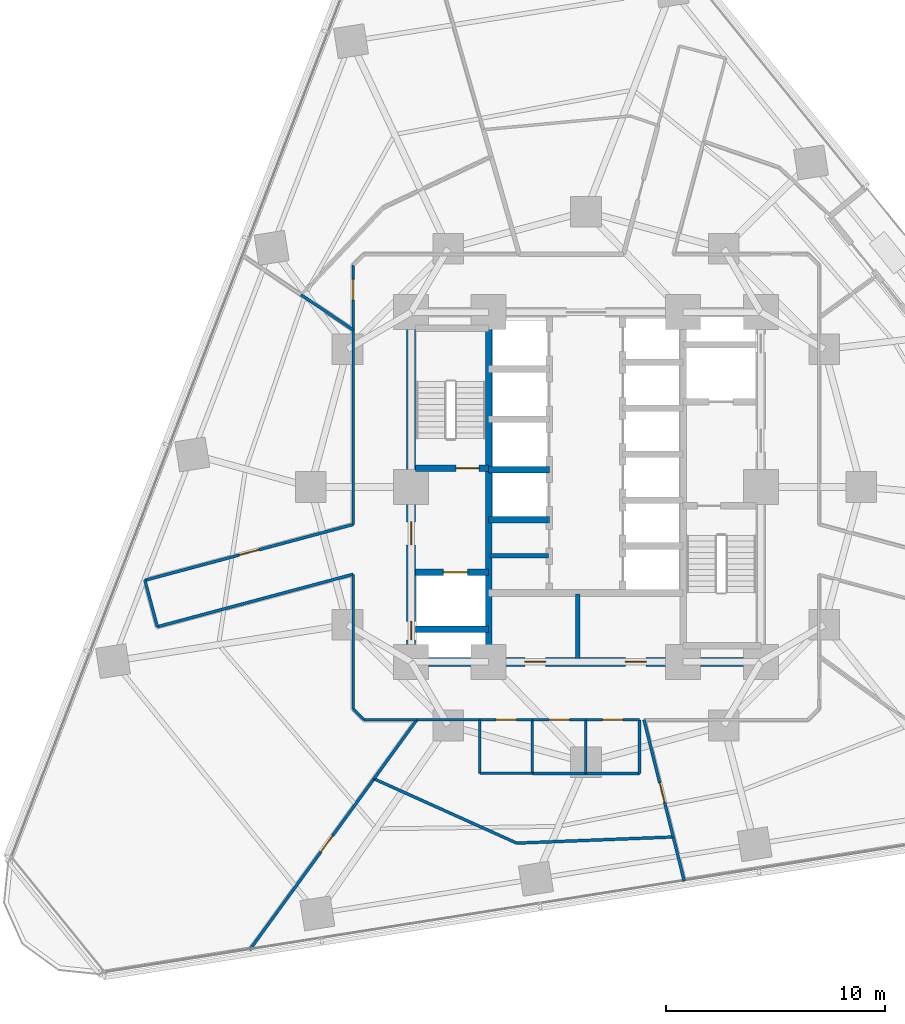
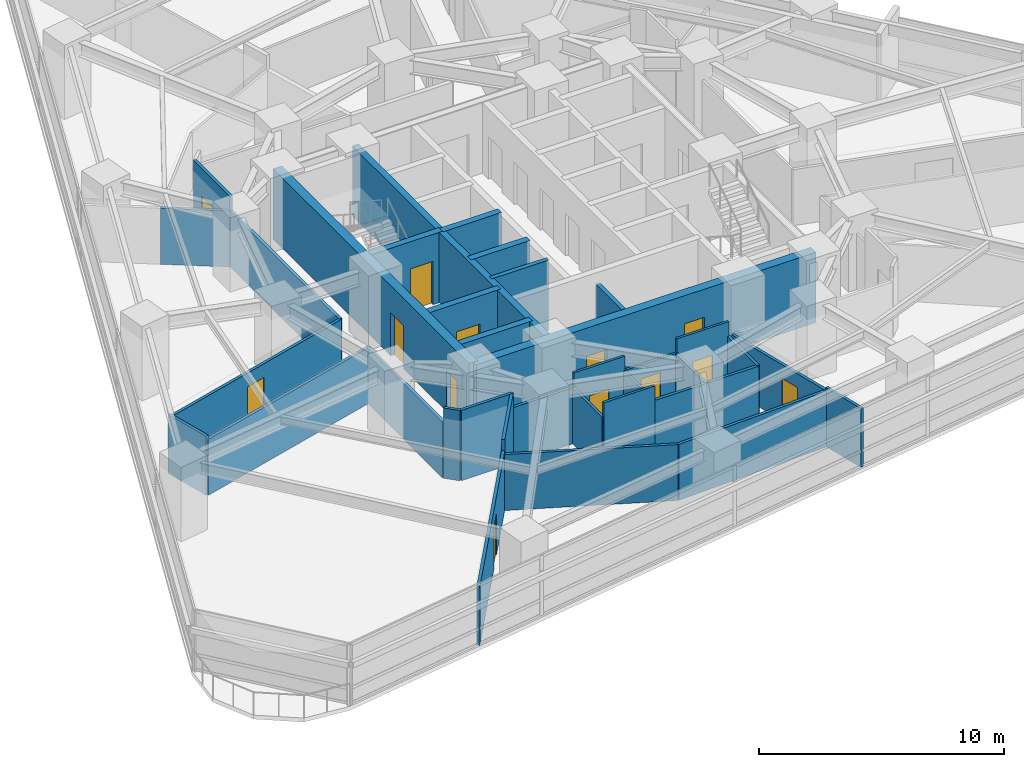
# One storey, part 7 of 14: 36 walls, 13 doors, 13 openings.
"""IFC4 building model written with IfcOpenShell, lengths in metres."""

from ifc_helpers import new_model, si_unit, direction, frame, frame_2d, origin, place, context, subcontext, project, spatial, rectangle, extrude, material, layer, layer_set, type_object, element, fill, save


model = new_model("IFC4")

# Units and contexts
model_context = context("Model", 3, precision=1e-05, world=origin(), true_north=direction((0.0, 1.0)))
body_context = subcontext(model_context, "Body", "Model", "MODEL_VIEW")
ifc_project = project(units=[si_unit("LENGTHUNIT", "METRE"), si_unit("AREAUNIT", "SQUARE_METRE"), si_unit("VOLUMEUNIT", "CUBIC_METRE"), si_unit("PLANEANGLEUNIT", "RADIAN"), si_unit("MASSUNIT", "GRAM", prefix="KILO")], contexts=[model_context])

# Site, building, storey
site_placement = place(None, origin())
site = spatial("IfcSite", under=ifc_project, at=site_placement, CompositionType="ELEMENT")
building_placement = place(site_placement, origin())
building = spatial("IfcBuilding", under=site, at=building_placement, Name="Terralouvre Media Tower", CompositionType="ELEMENT")
storey_placement = place(building_placement, frame((0.0, 0.0, 63.0)))
storey = spatial("IfcBuildingStorey", under=building, at=storey_placement, Name="L15", CompositionType="ELEMENT", Elevation=63.0)

# Wall
ifc_material_1 = material(Name="Concrete C50/60", Category="concrete")
ifc_layer_1 = layer(ifc_material_1, 0.300048828125, Name="Core Internal Shaft Wall CW-300")
ifc_layer_set_1 = layer_set([ifc_layer_1], Name="Concrete C50/60")
wall_type_1 = type_object("IfcWallType", Name="Core Internal Shaft Wall CW-300", PredefinedType="SHEAR", material=ifc_layer_set_1)
wall_1_placement = place(storey_placement, frame((-4.449951171875, -7.7900390625, 0.0), z_axis=(0.0, 0.0, 1.0), x_axis=(0.0, 1.0, 0.0)))
element("IfcWall", 1, at=wall_1_placement, inside=storey, type_object=wall_type_1, Name="L15 Core Shaft Wall SPW", PredefinedType="SHEAR", context=body_context, shape_type="SweptSolid", body=[
    extrude(rectangle(XDim=15.580078125, YDim=0.300048828125, at=frame_2d((7.7900390625, 0.0))), origin(), (0.0, 0.0, 1.0), 3.5),
])

# Wall, opening, door
wall_2_placement = place(storey_placement, frame((-7.7900390625, 0.85009765625, 0.0), z_axis=(0.0, 0.0, 1.0), x_axis=(1.0, 0.0, 0.0)))
wall_2 = element("IfcWall", 2, at=wall_2_placement, inside=storey, type_object=wall_type_1, Name="L15 Core Shaft Wall ST1D", PredefinedType="SHEAR", context=body_context, shape_type="SweptSolid", body=[
    extrude(rectangle(XDim=3.340087890625, YDim=0.300048828125, at=frame_2d((1.669921875, 0.0))), origin(), (0.0, 0.0, 1.0), 3.5),
])
opening_1_placement = place(wall_2_placement, frame((1.85009765625, 0.0, 0.0)))
opening_1 = element("IfcOpeningElement", 3, at=opening_1_placement, cuts=wall_2, Name="Opening FD-01-105X215", PredefinedType="OPENING", context=body_context, shape_type="SweptSolid", body=[
    extrude(rectangle(XDim=1.050048828125, YDim=2.14990234375, at=frame_2d((0.52490234375, 1.074951171875))), frame((0.0, 0.159912109375, 0.0), z_axis=(0.0, -1.0, 0.0), x_axis=(1.0, 0.0, 0.0)), (0.0, 0.0, 1.0), 0.320068359375),
])
ifc_material_2 = material(Name="Galvanised steel fire-resisting leaf", Category="steel")
door_type_1 = type_object("IfcDoorType", Name="Stair and Firefighting Lobby Fire Door FD-01 (1050x2150)", OperationType="NOTDEFINED", PredefinedType="DOOR", material=ifc_material_2)
door_1_placement = place(opening_1_placement, origin())
door_1 = element("IfcDoor", 4, at=door_1_placement, inside=storey, type_object=door_type_1, Name="L15 ST-01 Exit Stair Door", OperationType="SINGLE_SWING_LEFT", OverallHeight=2.14990234375, OverallWidth=1.050048828125, PredefinedType="DOOR", context=body_context, shape_type="SweptSolid", body=[
    extrude(rectangle(XDim=1.050048828125, YDim=2.14990234375, at=frame_2d((0.52490234375, 1.074951171875))), frame((0.0, 0.02490234375, 0.0), z_axis=(0.0, -1.0, 0.0), x_axis=(1.0, 0.0, 0.0)), (0.0, 0.0, 1.0), 0.050048828125),
])
fill(opening_1, door_1)

wall_3_placement = place(storey_placement, frame((-7.7900390625, -3.89990234375, 0.0), z_axis=(0.0, 0.0, 1.0), x_axis=(1.0, 0.0, 0.0)))
wall_3 = element("IfcWall", 5, at=wall_3_placement, inside=storey, type_object=wall_type_1, Name="L15 Core Shaft Wall FF1N", PredefinedType="SHEAR", context=body_context, shape_type="SweptSolid", body=[
    extrude(rectangle(XDim=3.340087890625, YDim=0.300048828125, at=frame_2d((1.669921875, 0.0))), origin(), (0.0, 0.0, 1.0), 3.5),
])
opening_2_placement = place(wall_3_placement, frame((1.27001953125, 0.0, 0.0)))
opening_2 = element("IfcOpeningElement", 6, at=opening_2_placement, cuts=wall_3, Name="Opening LD-FF", PredefinedType="OPENING", context=body_context, shape_type="SweptSolid", body=[
    extrude(rectangle(XDim=1.10009765625, YDim=2.10009765625, at=frame_2d((0.550048828125, 1.050048828125))), frame((0.0, 0.159912109375, 0.0), z_axis=(0.0, -1.0, 0.0), x_axis=(1.0, 0.0, 0.0)), (0.0, 0.0, 1.0), 0.320068359375),
])
ifc_material_3 = material(Name="Stainless steel 316 handrail and balustrade", Category="steel")
door_type_2 = type_object("IfcDoorType", Name="Firefighting Lift Sliding Landing Door LD-FF", OperationType="SLIDING_TO_LEFT", PredefinedType="DOOR", material=ifc_material_3)
door_2_placement = place(opening_2_placement, origin())
door_2 = element("IfcDoor", 7, at=door_2_placement, inside=storey, type_object=door_type_2, Name="L15 Firefighting Lift FFL-01 Landing Door", OperationType="SLIDING_TO_LEFT", OverallHeight=2.10009765625, OverallWidth=1.10009765625, PredefinedType="DOOR", context=body_context, shape_type="SweptSolid", body=[
    extrude(rectangle(XDim=1.10009765625, YDim=2.10009765625, at=frame_2d((0.550048828125, 1.050048828125))), frame((0.0, 0.02490234375, 0.0), z_axis=(0.0, -1.0, 0.0), x_axis=(1.0, 0.0, 0.0)), (0.0, 0.0, 1.0), 0.050048828125),
])
fill(opening_2, door_2)

# Walls
wall_4_placement = place(storey_placement, frame((-7.7900390625, -6.5, 0.0), z_axis=(0.0, 0.0, 1.0), x_axis=(1.0, 0.0, 0.0)))
element("IfcWall", 8, at=wall_4_placement, inside=storey, type_object=wall_type_1, Name="L15 Core Shaft Wall FF1S", PredefinedType="SHEAR", context=body_context, shape_type="SweptSolid", body=[
    extrude(rectangle(XDim=3.340087890625, YDim=0.300048828125, at=frame_2d((1.669921875, 0.0))), origin(), (0.0, 0.0, 1.0), 3.5),
])
for number, where, z_axis, x_axis, name in (
    (9, (-4.449951171875, -1.5, 0.0), (0.0, 0.0, 1.0), (1.0, 0.0, 0.0), "L15 Core Shaft Wall PLLD0"),
    (10, (-4.449951171875, 0.800048828125, 0.0), (0.0, 0.0, 1.0), (1.0, 0.0, 0.0), "L15 Core Shaft Wall PLLD1"),
):
    element("IfcWall", number, at=place(storey_placement, frame(where, z_axis=z_axis, x_axis=x_axis)), inside=storey, type_object=wall_type_1, Name=name, PredefinedType="SHEAR", context=body_context, shape_type="SweptSolid", body=[
        extrude(rectangle(XDim=2.77001953125, YDim=0.300048828125, at=frame_2d((1.385009765625, 0.0))), origin(), (0.0, 0.0, 1.0), 3.5),
    ])

# Wall, openings, doors
ifc_material_4 = material(Name="Concrete C60/75", Category="concrete")
ifc_layer_2 = layer(ifc_material_4, 0.419921875, Name="Core Reinforced Concrete Shear Wall CW-420")
ifc_layer_set_2 = layer_set([ifc_layer_2], Name="Concrete C60/75")
wall_type_2 = type_object("IfcWallType", Name="Core Reinforced Concrete Shear Wall CW-420", PredefinedType="SHEAR", material=ifc_layer_set_2)
wall_5_placement = place(storey_placement, frame((-8.0, -8.0, 0.0), z_axis=(0.0, 0.0, 1.0), x_axis=(0.0, 1.0, 0.0)))
wall_5 = element("IfcWall", 11, at=wall_5_placement, inside=storey, type_object=wall_type_2, Name="L15 W Core Shear Wall", PredefinedType="SHEAR", context=body_context, shape_type="SweptSolid", body=[
    extrude(rectangle(XDim=16.0, YDim=0.419921875, at=frame_2d((8.0, 0.0))), origin(), (0.0, 0.0, 1.0), 3.5),
])
opening_3_placement = place(wall_5_placement, frame((1.001708984375, 0.0, 0.0)))
opening_3 = element("IfcOpeningElement", 12, at=opening_3_placement, cuts=wall_5, Name="Opening TD-R1", PredefinedType="OPENING", context=body_context, shape_type="SweptSolid", body=[
    extrude(rectangle(XDim=0.85009765625, YDim=2.02001953125, at=frame_2d((0.425048828125, 1.010009765625))), frame((0.0, 0.219970703125, 0.0), z_axis=(0.0, -1.0, 0.0), x_axis=(1.0, 0.0, 0.0)), (0.0, 0.0, 1.0), 0.43994140625),
])
opening_4_placement = place(wall_5_placement, frame((5.35009765625, 0.0, 0.0)))
opening_4 = element("IfcOpeningElement", 13, at=opening_4_placement, cuts=wall_5, Name="Opening FD-01-105X215", PredefinedType="OPENING", context=body_context, shape_type="SweptSolid", body=[
    extrude(rectangle(XDim=1.050048828125, YDim=2.14990234375, at=frame_2d((0.52490234375, 1.074951171875))), frame((0.0, 0.219970703125, 0.0), z_axis=(0.0, -1.0, 0.0), x_axis=(1.0, 0.0, 0.0)), (0.0, 0.0, 1.0), 0.43994140625),
])
ifc_material_5 = material(Name="Galvanised steel fire-resisting leaf", Category="steel")
door_type_3 = type_object("IfcDoorType", Name="Riser Inspection Access Trapdoor TD-R1", OperationType="NOTDEFINED", PredefinedType="TRAPDOOR", material=ifc_material_5)
door_3_placement = place(opening_3_placement, origin())
door_3 = element("IfcDoor", 14, at=door_3_placement, inside=storey, type_object=door_type_3, Name="L15 Wet Riser Access Trapdoor", OperationType="SINGLE_SWING_LEFT", OverallHeight=2.02001953125, OverallWidth=0.85009765625, PredefinedType="TRAPDOOR", context=body_context, shape_type="SweptSolid", body=[
    extrude(rectangle(XDim=0.85009765625, YDim=2.02001953125, at=frame_2d((0.425048828125, 1.010009765625))), frame((0.0, 0.02490234375, 0.0), z_axis=(0.0, -1.0, 0.0), x_axis=(1.0, 0.0, 0.0)), (0.0, 0.0, 1.0), 0.050048828125),
])
fill(opening_3, door_3)
door_4_placement = place(opening_4_placement, origin())
door_4 = element("IfcDoor", 15, at=door_4_placement, inside=storey, type_object=door_type_1, Name="L15 West Firefighting Lobby Entry Door", OperationType="SINGLE_SWING_RIGHT", OverallHeight=2.14990234375, OverallWidth=1.050048828125, PredefinedType="DOOR", context=body_context, shape_type="SweptSolid", body=[
    extrude(rectangle(XDim=1.050048828125, YDim=2.14990234375, at=frame_2d((0.52490234375, 1.074951171875))), frame((0.0, 0.02490234375, 0.0), z_axis=(0.0, -1.0, 0.0), x_axis=(1.0, 0.0, 0.0)), (0.0, 0.0, 1.0), 0.050048828125),
])
fill(opening_4, door_4)

wall_6_placement = place(storey_placement, frame((-8.0, -8.0, 0.0), z_axis=(0.0, 0.0, 1.0), x_axis=(1.0, 0.0, 0.0)))
wall_6 = element("IfcWall", 16, at=wall_6_placement, inside=storey, type_object=wall_type_2, Name="L15 S Core Shear Wall", PredefinedType="SHEAR", context=body_context, shape_type="SweptSolid", body=[
    extrude(rectangle(XDim=16.0, YDim=0.419921875, at=frame_2d((8.0, 0.0))), origin(), (0.0, 0.0, 1.0), 3.5),
])
opening_5_placement = place(wall_6_placement, frame((5.199951171875, 0.0, 0.0)))
opening_5 = element("IfcOpeningElement", 17, at=opening_5_placement, cuts=wall_6, Name="Opening FD-02-95X210", PredefinedType="OPENING", context=body_context, shape_type="SweptSolid", body=[
    extrude(rectangle(XDim=0.949951171875, YDim=2.10009765625, at=frame_2d((0.47509765625, 1.050048828125))), frame((0.0, 0.219970703125, 0.0), z_axis=(0.0, -1.0, 0.0), x_axis=(1.0, 0.0, 0.0)), (0.0, 0.0, 1.0), 0.43994140625),
])
opening_6_placement = place(wall_6_placement, frame((9.800048828125, 0.0, 0.0)))
opening_6 = element("IfcOpeningElement", 18, at=opening_6_placement, cuts=wall_6, Name="Opening FD-02-95X210", PredefinedType="OPENING", context=body_context, shape_type="SweptSolid", body=[
    extrude(rectangle(XDim=0.949951171875, YDim=2.10009765625, at=frame_2d((0.47509765625, 1.050048828125))), frame((0.0, 0.219970703125, 0.0), z_axis=(0.0, -1.0, 0.0), x_axis=(1.0, 0.0, 0.0)), (0.0, 0.0, 1.0), 0.43994140625),
])
ifc_material_6 = material(Name="Galvanised steel fire-resisting leaf", Category="steel")
door_type_4 = type_object("IfcDoorType", Name="Plant and Riser Fire Door FD-02 (950x2100)", OperationType="NOTDEFINED", PredefinedType="DOOR", material=ifc_material_6)
door_5_placement = place(opening_5_placement, origin())
door_5 = element("IfcDoor", 19, at=door_5_placement, inside=storey, type_object=door_type_4, Name="L15 Core Valve Plant Door", OperationType="SINGLE_SWING_LEFT", OverallHeight=2.10009765625, OverallWidth=0.949951171875, PredefinedType="DOOR", context=body_context, shape_type="SweptSolid", body=[
    extrude(rectangle(XDim=0.949951171875, YDim=2.10009765625, at=frame_2d((0.47509765625, 1.050048828125))), frame((0.0, 0.02490234375, 0.0), z_axis=(0.0, -1.0, 0.0), x_axis=(1.0, 0.0, 0.0)), (0.0, 0.0, 1.0), 0.050048828125),
])
fill(opening_5, door_5)
door_6_placement = place(opening_6_placement, origin())
door_6 = element("IfcDoor", 20, at=door_6_placement, inside=storey, type_object=door_type_4, Name="L15 Core MDF Plant Door", OperationType="SINGLE_SWING_RIGHT", OverallHeight=2.10009765625, OverallWidth=0.949951171875, PredefinedType="DOOR", context=body_context, shape_type="SweptSolid", body=[
    extrude(rectangle(XDim=0.949951171875, YDim=2.10009765625, at=frame_2d((0.47509765625, 1.050048828125))), frame((0.0, 0.02490234375, 0.0), z_axis=(0.0, -1.0, 0.0), x_axis=(1.0, 0.0, 0.0)), (0.0, 0.0, 1.0), 0.050048828125),
])
fill(opening_6, door_6)

# Walls
ifc_material_7 = material(Name="Fire-rated gypsum board drywall partition")
ifc_layer_3 = layer(ifc_material_7, 0.199951171875, Name="Fire-Rated Shaft and Lobby Partition FW-200")
ifc_layer_set_3 = layer_set([ifc_layer_3], Name="Fire-rated gypsum board drywall partition")
wall_type_3 = type_object("IfcWallType", Name="Fire-Rated Shaft and Lobby Partition FW-200", PredefinedType="SOLIDWALL", material=ifc_layer_set_3)
wall_7_placement = place(storey_placement, frame((-0.3798828125, -7.85009765625, 0.0), z_axis=(0.0, 0.0, 1.0), x_axis=(0.0, 1.0, 0.0)))
element("IfcWall", 21, at=wall_7_placement, inside=storey, type_object=wall_type_3, Name="L15 Core Service Bay Partition 1", PredefinedType="SOLIDWALL", context=body_context, shape_type="SweptSolid", body=[
    extrude(rectangle(XDim=2.9501953125, YDim=0.199951171875, at=frame_2d((1.47509765625, 0.0))), origin(), (0.0, 0.0, 1.0), 2.885009765625),
])
wall_8_placement = place(storey_placement, frame((-4.39990234375, -3.139892578125, 0.0), z_axis=(0.0, 0.0, 1.0), x_axis=(1.0, 0.0, 0.0)))
element("IfcWall", 22, at=wall_8_placement, inside=storey, type_object=wall_type_3, Name="L15 Core West Sub-Partition 1", PredefinedType="SOLIDWALL", context=body_context, shape_type="SweptSolid", body=[
    extrude(rectangle(XDim=2.679931640625, YDim=0.199951171875, at=frame_2d((1.33984375, 0.0))), origin(), (0.0, 0.0, 1.0), 3.5),
])
ifc_material_8 = material(Name="Fire-rated gypsum board drywall partition")
ifc_layer_4 = layer(ifc_material_8, 0.135009765625, Name="Newsroom Acoustic Partition PT-135")
ifc_layer_set_4 = layer_set([ifc_layer_4], Name="Fire-rated gypsum board drywall partition")
wall_type_4 = type_object("IfcWallType", Name="Newsroom Acoustic Partition PT-135", PredefinedType="PARTITIONING", material=ifc_layer_set_4)
wall_9_placement = place(storey_placement, frame((-10.64990234375, 7.18408203125, 0.0), z_axis=(0.0, 0.0, 1.0), x_axis=(0.0, -1.0, 0.0)))
element("IfcWall", 23, at=wall_9_placement, inside=storey, type_object=wall_type_4, Name="L15 Interior Partition 006", PredefinedType="PARTITIONING", context=body_context, shape_type="SweptSolid", body=[
    extrude(rectangle(XDim=8.899169921875, YDim=0.135009765625, at=frame_2d((4.44970703125, 0.0))), origin(), (0.0, 0.0, 1.0), 2.784912109375),
])

# Wall, opening, door
wall_10_placement = place(storey_placement, frame((-10.64990234375, -1.715087890625, 0.0), z_axis=(0.0, 0.0, 1.0), x_axis=(-0.965937452198, -0.258775652721, 0.0)))
wall_10 = element("IfcWall", 24, at=wall_10_placement, inside=storey, type_object=wall_type_4, Name="L15 Interior Partition 007", PredefinedType="PARTITIONING", context=body_context, shape_type="SweptSolid", body=[
    extrude(rectangle(XDim=9.869384765625, YDim=0.135009765625, at=frame_2d((4.9345703125, 0.0))), origin(), (0.0, 0.0, 1.0), 2.784912109375),
])
opening_7_placement = place(wall_10_placement, frame((4.459716796875, 0.0, 0.0)))
opening_7 = element("IfcOpeningElement", 25, at=opening_7_placement, cuts=wall_10, Name="Opening ID-02-95X210", PredefinedType="OPENING", context=body_context, shape_type="SweptSolid", body=[
    extrude(rectangle(XDim=0.949951171875, YDim=2.10009765625, at=frame_2d((0.47509765625, 1.050048828125))), frame((0.0, 0.077392578125, 0.0), z_axis=(0.0, -1.0, 0.0), x_axis=(1.0, 0.0, 0.0)), (0.0, 0.0, 1.0), 0.155029296875),
])
ifc_material_9 = material(Name="Engineered hardwood acoustic timber leaf", Category="wood")
door_type_5 = type_object("IfcDoorType", Name="Office and Meeting Room Door ID-02 (950x2100)", OperationType="NOTDEFINED", PredefinedType="DOOR", material=ifc_material_9)
door_7_placement = place(opening_7_placement, origin())
door_7 = element("IfcDoor", 26, at=door_7_placement, inside=storey, type_object=door_type_5, Name="L15 Podcast Editing Creative Workshop 2 Door", OperationType="SINGLE_SWING_LEFT", OverallHeight=2.10009765625, OverallWidth=0.949951171875, PredefinedType="DOOR", context=body_context, shape_type="SweptSolid", body=[
    extrude(rectangle(XDim=0.949951171875, YDim=2.10009765625, at=frame_2d((0.47509765625, 1.050048828125))), frame((0.0, 0.02490234375, 0.0), z_axis=(0.0, -1.0, 0.0), x_axis=(1.0, 0.0, 0.0)), (0.0, 0.0, 1.0), 0.050048828125),
])
fill(opening_7, door_7)

# Walls
wall_11_placement = place(storey_placement, frame((-20.18310546875, -4.26904296875, 0.0), z_axis=(0.0, 0.0, 1.0), x_axis=(0.259105843213, -0.965848933329, 0.0)))
element("IfcWall", 27, at=wall_11_placement, inside=storey, type_object=wall_type_4, Name="L15 Interior Partition 008", PredefinedType="PARTITIONING", context=body_context, shape_type="SweptSolid", body=[
    extrude(rectangle(XDim=2.2001953125, YDim=0.135009765625, at=frame_2d((1.10009765625, 0.0))), origin(), (0.0, 0.0, 1.0), 2.93505859375),
])
wall_12_placement = place(storey_placement, frame((-19.613037109375, -6.39404296875, 0.0), z_axis=(0.0, 0.0, 1.0), x_axis=(0.96591410887, 0.258862771148, 0.0)))
element("IfcWall", 28, at=wall_12_placement, inside=storey, type_object=wall_type_4, Name="L15 Interior Partition 009", PredefinedType="PARTITIONING", context=body_context, shape_type="SweptSolid", body=[
    extrude(rectangle(XDim=9.279541015625, YDim=0.135009765625, at=frame_2d((4.6396484375, 0.0))), origin(), (0.0, 0.0, 1.0), 2.784912109375),
])
wall_13_placement = place(storey_placement, frame((-10.64990234375, -3.991943359375, 0.0), z_axis=(0.0, 0.0, 1.0), x_axis=(0.0, -1.0, 0.0)))
element("IfcWall", 29, at=wall_13_placement, inside=storey, type_object=wall_type_4, Name="L15 Interior Partition 010", PredefinedType="PARTITIONING", context=body_context, shape_type="SweptSolid", body=[
    extrude(rectangle(XDim=6.157958984375, YDim=0.135009765625, at=frame_2d((3.0791015625, 0.0))), origin(), (0.0, 0.0, 1.0), 2.784912109375),
])
wall_14_placement = place(storey_placement, frame((-10.64990234375, -10.14990234375, 0.0), z_axis=(0.0, 0.0, 1.0), x_axis=(0.707106781187, -0.707106781187, 0.0)))
element("IfcWall", 30, at=wall_14_placement, inside=storey, type_object=wall_type_4, Name="L15 Interior Partition 011", PredefinedType="PARTITIONING", context=body_context, shape_type="SweptSolid", body=[
    extrude(rectangle(XDim=0.70703125, YDim=0.135009765625, at=frame_2d((0.353515625, 0.0))), origin(), (0.0, 0.0, 1.0), 3.5),
])
wall_15_placement = place(storey_placement, frame((-10.14990234375, -10.64990234375, 0.0), z_axis=(0.0, 0.0, 1.0), x_axis=(1.0, 0.0, 0.0)))
element("IfcWall", 31, at=wall_15_placement, inside=storey, type_object=wall_type_4, Name="L15 Interior Partition 012", PredefinedType="PARTITIONING", context=body_context, shape_type="SweptSolid", body=[
    extrude(rectangle(XDim=2.411865234375, YDim=0.135009765625, at=frame_2d((1.2060546875, 0.0))), origin(), (0.0, 0.0, 1.0), 3.5),
])
wall_16_placement = place(storey_placement, frame((-7.738037109375, -10.64990234375, 0.0), z_axis=(0.0, 0.0, 1.0), x_axis=(1.0, 0.0, 0.0)))
element("IfcWall", 32, at=wall_16_placement, inside=storey, type_object=wall_type_4, Name="L15 Interior Partition 023", PredefinedType="PARTITIONING", context=body_context, shape_type="SweptSolid", body=[
    extrude(rectangle(XDim=2.887939453125, YDim=0.135009765625, at=frame_2d((1.44384765625, 0.0))), origin(), (0.0, 0.0, 1.0), 2.784912109375),
])

# Wall, opening, door
wall_17_placement = place(storey_placement, frame((-10.64990234375, 10.14990234375, 0.0), z_axis=(0.0, 0.0, 1.0), x_axis=(0.0, -1.0, 0.0)))
wall_17 = element("IfcWall", 33, at=wall_17_placement, inside=storey, type_object=wall_type_4, Name="L15 Interior Partition 031", PredefinedType="PARTITIONING", context=body_context, shape_type="SweptSolid", body=[
    extrude(rectangle(XDim=2.9658203125, YDim=0.135009765625, at=frame_2d((1.48291015625, 0.0))), origin(), (0.0, 0.0, 1.0), 3.5),
])
opening_8_placement = place(wall_17_placement, frame((0.652099609375, 0.0, 0.0)))
opening_8 = element("IfcOpeningElement", 34, at=opening_8_placement, cuts=wall_17, Name="Opening ID-02-95X210", PredefinedType="OPENING", context=body_context, shape_type="SweptSolid", body=[
    extrude(rectangle(XDim=0.949951171875, YDim=2.10009765625, at=frame_2d((0.47509765625, 1.050048828125))), frame((0.0, 0.077392578125, 0.0), z_axis=(0.0, -1.0, 0.0), x_axis=(1.0, 0.0, 0.0)), (0.0, 0.0, 1.0), 0.155029296875),
])
door_8_placement = place(opening_8_placement, origin())
door_8 = element("IfcDoor", 35, at=door_8_placement, inside=storey, type_object=door_type_5, Name="L15 QA Testing Workspace 10 Door", OperationType="SINGLE_SWING_LEFT", OverallHeight=2.10009765625, OverallWidth=0.949951171875, PredefinedType="DOOR", context=body_context, shape_type="SweptSolid", body=[
    extrude(rectangle(XDim=0.949951171875, YDim=2.10009765625, at=frame_2d((0.47509765625, 1.050048828125))), frame((0.0, 0.02490234375, 0.0), z_axis=(0.0, -1.0, 0.0), x_axis=(1.0, 0.0, 0.0)), (0.0, 0.0, 1.0), 0.050048828125),
])
fill(opening_8, door_8)

wall_18_placement = place(storey_placement, frame((-15.392822265625, -21.187255859375, 0.0), z_axis=(0.0, 0.0, 1.0), x_axis=(0.587736917223, 0.809052109653, 0.0)))
wall_18 = element("IfcWall", 36, at=wall_18_placement, inside=storey, type_object=wall_type_4, Name="L15 Interior Partition 034", PredefinedType="PARTITIONING", context=body_context, shape_type="SweptSolid", body=[
    extrude(rectangle(XDim=9.684326171875, YDim=0.135009765625, at=frame_2d((4.84228515625, 0.0))), origin(), (0.0, 0.0, 1.0), 2.93505859375),
])
opening_9_placement = place(wall_18_placement, frame((5.54443359375, 0.0, 0.0)))
opening_9 = element("IfcOpeningElement", 37, at=opening_9_placement, cuts=wall_18, Name="Opening ID-03-92X210", PredefinedType="OPENING", context=body_context, shape_type="SweptSolid", body=[
    extrude(rectangle(XDim=0.919921875, YDim=2.10009765625, at=frame_2d((0.4599609375, 1.050048828125))), frame((0.0, 0.077392578125, 0.0), z_axis=(0.0, -1.0, 0.0), x_axis=(1.0, 0.0, 0.0)), (0.0, 0.0, 1.0), 0.155029296875),
])
ifc_material_10 = material(Name="Engineered hardwood acoustic timber leaf", Category="wood")
door_type_6 = type_object("IfcDoorType", Name="Accessible Restroom and Suite Door ID-03 (920x2100)", OperationType="NOTDEFINED", PredefinedType="DOOR", material=ifc_material_10)
door_9_placement = place(opening_9_placement, origin())
door_9 = element("IfcDoor", 38, at=door_9_placement, inside=storey, type_object=door_type_6, Name="L15 Hardware Prototype Storage 6 Door", OperationType="SINGLE_SWING_RIGHT", OverallHeight=2.10009765625, OverallWidth=0.919921875, PredefinedType="DOOR", context=body_context, shape_type="SweptSolid", body=[
    extrude(rectangle(XDim=0.919921875, YDim=2.10009765625, at=frame_2d((0.4599609375, 1.050048828125))), frame((0.0, 0.02490234375, 0.0), z_axis=(0.0, -1.0, 0.0), x_axis=(1.0, 0.0, 0.0)), (0.0, 0.0, 1.0), 0.050048828125),
])
fill(opening_9, door_9)

# Walls
wall_19_placement = place(storey_placement, frame((-9.700927734375, -13.35205078125, 0.0), z_axis=(0.0, 0.0, 1.0), x_axis=(0.587719574609, 0.809064707932, 0.0)))
element("IfcWall", 39, at=wall_19_placement, inside=storey, type_object=wall_type_4, Name="L15 Interior Partition 035", PredefinedType="PARTITIONING", context=body_context, shape_type="SweptSolid", body=[
    extrude(rectangle(XDim=3.33984375, YDim=0.135009765625, at=frame_2d((1.669921875, 0.0))), origin(), (0.0, 0.0, 1.0), 3.5),
])
wall_20_placement = place(storey_placement, frame((-10.64990234375, 7.18408203125, 0.0), z_axis=(0.0, 0.0, 1.0), x_axis=(-0.829039234985, 0.559190438809, 0.0)))
element("IfcWall", 40, at=wall_20_placement, inside=storey, type_object=wall_type_4, Name="L15 Interior Partition 037", PredefinedType="PARTITIONING", context=body_context, shape_type="SweptSolid", body=[
    extrude(rectangle(XDim=2.880615234375, YDim=0.135009765625, at=frame_2d((1.4404296875, 0.0))), origin(), (0.0, 0.0, 1.0), 2.784912109375),
])
wall_21_placement = place(storey_placement, frame((3.992919921875, -16.013916015625, 0.0), z_axis=(0.0, 0.0, 1.0), x_axis=(-0.999230720769, -0.039216918185, 0.0)))
element("IfcWall", 41, at=wall_21_placement, inside=storey, type_object=wall_type_4, Name="L15 Interior Partition 045", PredefinedType="PARTITIONING", context=body_context, shape_type="SweptSolid", body=[
    extrude(rectangle(XDim=7.16552734375, YDim=0.135009765625, at=frame_2d((3.582763671875, 0.0))), origin(), (0.0, 0.0, 1.0), 2.784912109375),
])
wall_22_placement = place(storey_placement, frame((-3.1669921875, -16.294921875, 0.0), z_axis=(0.0, 0.0, 1.0), x_axis=(-0.911785675506, 0.410666387645, 0.0)))
element("IfcWall", 42, at=wall_22_placement, inside=storey, type_object=wall_type_4, Name="L15 Interior Partition 046", PredefinedType="PARTITIONING", context=body_context, shape_type="SweptSolid", body=[
    extrude(rectangle(XDim=7.166015625, YDim=0.135009765625, at=frame_2d((3.5830078125, 0.0))), origin(), (0.0, 0.0, 1.0), 2.784912109375),
])
wall_23_placement = place(storey_placement, frame((4.49658203125, -18.037109375, 0.0), z_axis=(0.0, 0.0, 1.0), x_axis=(-0.24157117672, 0.970383102995, 0.0)))
element("IfcWall", 43, at=wall_23_placement, inside=storey, type_object=wall_type_4, Name="L15 Interior Partition 047", PredefinedType="PARTITIONING", context=body_context, shape_type="SweptSolid", body=[
    extrude(rectangle(XDim=2.0849609375, YDim=0.135009765625, at=frame_2d((1.04248046875, 0.0))), origin(), (0.0, 0.0, 1.0), 2.93505859375),
])
wall_24_placement = place(storey_placement, frame((0.0, -13.10009765625, 0.0), z_axis=(0.0, 0.0, 1.0), x_axis=(-1.0, 0.0, 0.0)))
element("IfcWall", 44, at=wall_24_placement, inside=storey, type_object=wall_type_4, Name="L15 Interior Partition 051", PredefinedType="PARTITIONING", context=body_context, shape_type="SweptSolid", body=[
    extrude(rectangle(XDim=2.449951171875, YDim=0.135009765625, at=frame_2d((1.22509765625, 0.0))), origin(), (0.0, 0.0, 1.0), 2.784912109375),
])
wall_25_placement = place(storey_placement, frame((2.449951171875, -10.64990234375, 0.0), z_axis=(0.0, 0.0, 1.0), x_axis=(0.0, -1.0, 0.0)))
element("IfcWall", 45, at=wall_25_placement, inside=storey, type_object=wall_type_4, Name="L15 Interior Partition 052", PredefinedType="PARTITIONING", context=body_context, shape_type="SweptSolid", body=[
    extrude(rectangle(XDim=2.4501953125, YDim=0.135009765625, at=frame_2d((1.22509765625, 0.0))), origin(), (0.0, 0.0, 1.0), 2.784912109375),
])
wall_26_placement = place(storey_placement, frame((2.449951171875, -13.10009765625, 0.0), z_axis=(0.0, 0.0, 1.0), x_axis=(-1.0, 0.0, 0.0)))
element("IfcWall", 46, at=wall_26_placement, inside=storey, type_object=wall_type_4, Name="L15 Interior Partition 053", PredefinedType="PARTITIONING", context=body_context, shape_type="SweptSolid", body=[
    extrude(rectangle(XDim=2.449951171875, YDim=0.135009765625, at=frame_2d((1.22509765625, 0.0))), origin(), (0.0, 0.0, 1.0), 2.784912109375),
])

# Wall, opening, door
wall_27_placement = place(storey_placement, frame((3.992919921875, -16.013916015625, 0.0), z_axis=(0.0, 0.0, 1.0), x_axis=(-0.242005649473, 0.97027484025, 0.0)))
wall_27 = element("IfcWall", 47, at=wall_27_placement, inside=storey, type_object=wall_type_4, Name="L15 Interior Partition 054", PredefinedType="PARTITIONING", context=body_context, shape_type="SweptSolid", body=[
    extrude(rectangle(XDim=5.5283203125, YDim=0.135009765625, at=frame_2d((2.76416015625, 0.0))), origin(), (0.0, 0.0, 1.0), 2.784912109375),
])
opening_10_placement = place(wall_27_placement, frame((1.640869140625, 0.0, 0.0)))
opening_10 = element("IfcOpeningElement", 48, at=opening_10_placement, cuts=wall_27, Name="Opening ID-03-92X210", PredefinedType="OPENING", context=body_context, shape_type="SweptSolid", body=[
    extrude(rectangle(XDim=0.919921875, YDim=2.10009765625, at=frame_2d((0.4599609375, 1.050048828125))), frame((0.0, 0.077392578125, 0.0), z_axis=(0.0, -1.0, 0.0), x_axis=(1.0, 0.0, 0.0)), (0.0, 0.0, 1.0), 0.155029296875),
])
door_10_placement = place(opening_10_placement, origin())
door_10 = element("IfcDoor", 49, at=door_10_placement, inside=storey, type_object=door_type_6, Name="L15 Developer Rest Lounge 7 Door", OperationType="SINGLE_SWING_LEFT", OverallHeight=2.10009765625, OverallWidth=0.919921875, PredefinedType="DOOR", context=body_context, shape_type="SweptSolid", body=[
    extrude(rectangle(XDim=0.919921875, YDim=2.10009765625, at=frame_2d((0.4599609375, 1.050048828125))), frame((0.0, 0.02490234375, 0.0), z_axis=(0.0, -1.0, 0.0), x_axis=(1.0, 0.0, 0.0)), (0.0, 0.0, 1.0), 0.050048828125),
])
fill(opening_10, door_10)

ifc_material_11 = material(Name="Fire-rated gypsum board drywall partition")
ifc_layer_5 = layer(ifc_material_11, 0.114990234375, Name="Restroom and Pantry Partition PT-115")
ifc_layer_set_5 = layer_set([ifc_layer_5], Name="Fire-rated gypsum board drywall partition")
wall_type_5 = type_object("IfcWallType", Name="Restroom and Pantry Partition PT-115", PredefinedType="PARTITIONING", material=ifc_layer_set_5)
wall_28_placement = place(storey_placement, frame((-4.85009765625, -10.64990234375, 0.0), z_axis=(0.0, 0.0, 1.0), x_axis=(1.0, 0.0, 0.0)))
wall_28 = element("IfcWall", 50, at=wall_28_placement, inside=storey, type_object=wall_type_5, Name="L15 Interior Partition 022", PredefinedType="PARTITIONING", context=body_context, shape_type="SweptSolid", body=[
    extrude(rectangle(XDim=2.400146484375, YDim=0.114990234375, at=frame_2d((1.2001953125, 0.0))), origin(), (0.0, 0.0, 1.0), 3.5),
])
opening_11_placement = place(wall_28_placement, frame((0.739990234375, 0.0, 0.0)))
opening_11 = element("IfcOpeningElement", 51, at=opening_11_placement, cuts=wall_28, Name="Opening ID-03-92X210", PredefinedType="OPENING", context=body_context, shape_type="SweptSolid", body=[
    extrude(rectangle(XDim=0.919921875, YDim=2.10009765625, at=frame_2d((0.4599609375, 1.050048828125))), frame((0.0, 0.0673828125, 0.0), z_axis=(0.0, -1.0, 0.0), x_axis=(1.0, 0.0, 0.0)), (0.0, 0.0, 1.0), 0.135009765625),
])
door_11_placement = place(opening_11_placement, origin())
door_11 = element("IfcDoor", 52, at=door_11_placement, inside=storey, type_object=door_type_6, Name="L15 Male Restroom WC Door", OperationType="SINGLE_SWING_LEFT", OverallHeight=2.10009765625, OverallWidth=0.919921875, PredefinedType="DOOR", context=body_context, shape_type="SweptSolid", body=[
    extrude(rectangle(XDim=0.919921875, YDim=2.10009765625, at=frame_2d((0.4599609375, 1.050048828125))), frame((0.0, 0.02490234375, 0.0), z_axis=(0.0, -1.0, 0.0), x_axis=(1.0, 0.0, 0.0)), (0.0, 0.0, 1.0), 0.050048828125),
])
fill(opening_11, door_11)

wall_29_placement = place(storey_placement, frame((-2.449951171875, -10.64990234375, 0.0), z_axis=(0.0, 0.0, 1.0), x_axis=(1.0, 0.0, 0.0)))
wall_29 = element("IfcWall", 53, at=wall_29_placement, inside=storey, type_object=wall_type_5, Name="L15 Interior Partition 024", PredefinedType="PARTITIONING", context=body_context, shape_type="SweptSolid", body=[
    extrude(rectangle(XDim=2.449951171875, YDim=0.114990234375, at=frame_2d((1.22509765625, 0.0))), origin(), (0.0, 0.0, 1.0), 2.784912109375),
])
opening_12_placement = place(wall_29_placement, frame((0.764892578125, 0.0, 0.0)))
opening_12 = element("IfcOpeningElement", 54, at=opening_12_placement, cuts=wall_29, Name="Opening ID-03-92X210", PredefinedType="OPENING", context=body_context, shape_type="SweptSolid", body=[
    extrude(rectangle(XDim=0.919921875, YDim=2.10009765625, at=frame_2d((0.4599609375, 1.050048828125))), frame((0.0, 0.0673828125, 0.0), z_axis=(0.0, -1.0, 0.0), x_axis=(1.0, 0.0, 0.0)), (0.0, 0.0, 1.0), 0.135009765625),
])
door_12_placement = place(opening_12_placement, origin())
door_12 = element("IfcDoor", 55, at=door_12_placement, inside=storey, type_object=door_type_6, Name="L15 Female Restroom WC Door", OperationType="SINGLE_SWING_RIGHT", OverallHeight=2.10009765625, OverallWidth=0.919921875, PredefinedType="DOOR", context=body_context, shape_type="SweptSolid", body=[
    extrude(rectangle(XDim=0.919921875, YDim=2.10009765625, at=frame_2d((0.4599609375, 1.050048828125))), frame((0.0, 0.02490234375, 0.0), z_axis=(0.0, -1.0, 0.0), x_axis=(1.0, 0.0, 0.0)), (0.0, 0.0, 1.0), 0.050048828125),
])
fill(opening_12, door_12)

wall_30_placement = place(storey_placement, frame((0.0, -10.64990234375, 0.0), z_axis=(0.0, 0.0, 1.0), x_axis=(1.0, 0.0, 0.0)))
wall_30 = element("IfcWall", 56, at=wall_30_placement, inside=storey, type_object=wall_type_5, Name="L15 Interior Partition 025", PredefinedType="PARTITIONING", context=body_context, shape_type="SweptSolid", body=[
    extrude(rectangle(XDim=2.449951171875, YDim=0.114990234375, at=frame_2d((1.22509765625, 0.0))), origin(), (0.0, 0.0, 1.0), 3.5),
])
opening_13_placement = place(wall_30_placement, frame((0.764892578125, 0.0, 0.0)))
opening_13 = element("IfcOpeningElement", 57, at=opening_13_placement, cuts=wall_30, Name="Opening ID-03-92X210", PredefinedType="OPENING", context=body_context, shape_type="SweptSolid", body=[
    extrude(rectangle(XDim=0.919921875, YDim=2.10009765625, at=frame_2d((0.4599609375, 1.050048828125))), frame((0.0, 0.0673828125, 0.0), z_axis=(0.0, -1.0, 0.0), x_axis=(1.0, 0.0, 0.0)), (0.0, 0.0, 1.0), 0.135009765625),
])
door_13_placement = place(opening_13_placement, origin())
door_13 = element("IfcDoor", 58, at=door_13_placement, inside=storey, type_object=door_type_6, Name="L15 Accessible Unisex WC Door", OperationType="SINGLE_SWING_LEFT", OverallHeight=2.10009765625, OverallWidth=0.919921875, PredefinedType="DOOR", context=body_context, shape_type="SweptSolid", body=[
    extrude(rectangle(XDim=0.919921875, YDim=2.10009765625, at=frame_2d((0.4599609375, 1.050048828125))), frame((0.0, 0.02490234375, 0.0), z_axis=(0.0, -1.0, 0.0), x_axis=(1.0, 0.0, 0.0)), (0.0, 0.0, 1.0), 0.050048828125),
])
fill(opening_13, door_13)

# Walls
wall_31_placement = place(storey_placement, frame((-4.85009765625, -10.64990234375, 0.0), z_axis=(0.0, 0.0, 1.0), x_axis=(0.0, -1.0, 0.0)))
element("IfcWall", 59, at=wall_31_placement, inside=storey, type_object=wall_type_5, Name="L15 Interior Partition 048", PredefinedType="PARTITIONING", context=body_context, shape_type="SweptSolid", body=[
    extrude(rectangle(XDim=2.4501953125, YDim=0.114990234375, at=frame_2d((1.22509765625, 0.0))), origin(), (0.0, 0.0, 1.0), 2.784912109375),
])
wall_32_placement = place(storey_placement, frame((-4.85009765625, -13.10009765625, 0.0), z_axis=(0.0, 0.0, 1.0), x_axis=(1.0, 0.0, 0.0)))
element("IfcWall", 60, at=wall_32_placement, inside=storey, type_object=wall_type_5, Name="L15 Interior Partition 049", PredefinedType="PARTITIONING", context=body_context, shape_type="SweptSolid", body=[
    extrude(rectangle(XDim=2.400146484375, YDim=0.114990234375, at=frame_2d((1.2001953125, 0.0))), origin(), (0.0, 0.0, 1.0), 3.5),
])
for number, where, z_axis, x_axis, name in (
    (61, (-2.449951171875, -13.10009765625, 0.0), (0.0, 0.0, 1.0), (0.0, 1.0, 0.0), "L15 Interior Partition 050"),
    (62, (0.0, -13.10009765625, 0.0), (0.0, 0.0, 1.0), (0.0, 1.0, 0.0), "L15 Interior Partition 055"),
):
    element("IfcWall", number, at=place(storey_placement, frame(where, z_axis=z_axis, x_axis=x_axis)), inside=storey, type_object=wall_type_5, Name=name, PredefinedType="PARTITIONING", context=body_context, shape_type="SweptSolid", body=[
        extrude(rectangle(XDim=2.4501953125, YDim=0.114990234375, at=frame_2d((1.22509765625, 0.0))), origin(), (0.0, 0.0, 1.0), 2.784912109375),
    ])

save(model, "model.ifc")
